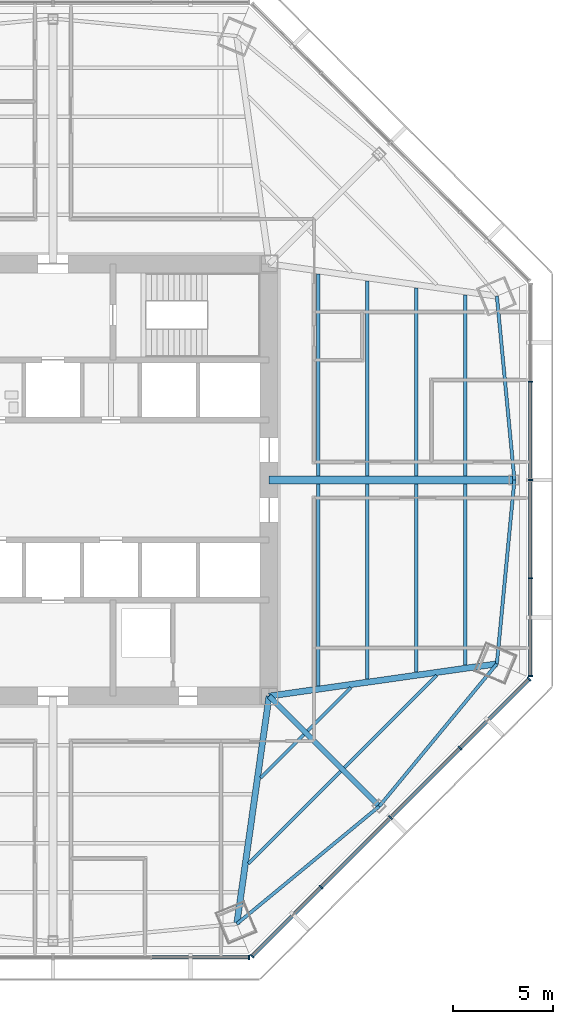
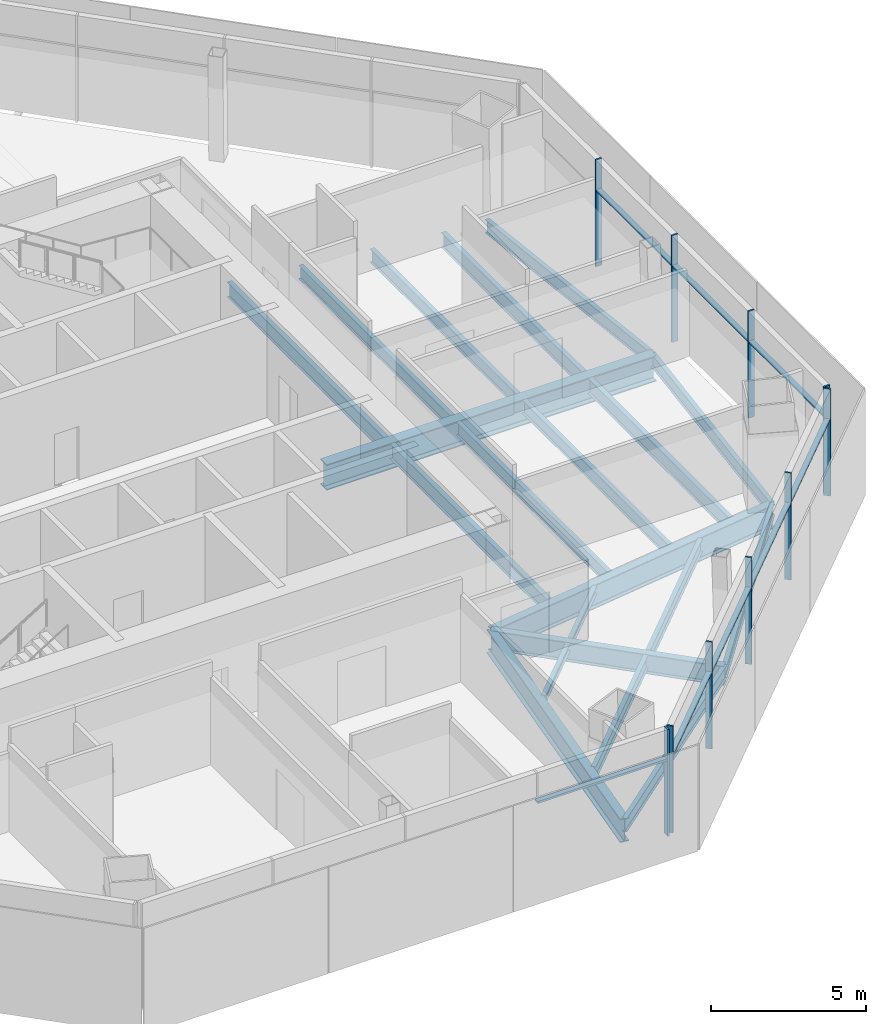
# One storey, part 4 of 14: 20 beams, 18 members, 3 elements without a shape of their own.
"""IFC4 building model written with IfcOpenShell, lengths in metres."""

from ifc_helpers import new_model, si_unit, direction, frame, origin, origin_2d, place, context, subcontext, project, spatial, rectangle, i_section, extrude, source, transform, mapped, material, material_profile, profile_set, type_object, type_shapes, element, aggregate, save


model = new_model("IFC4")

# Units and contexts
model_context = context("Model", 3, precision=1e-05, world=origin(), true_north=direction((0.0, 1.0)))
body_context = subcontext(model_context, "Body", "Model", "MODEL_VIEW")
ifc_project = project(units=[si_unit("LENGTHUNIT", "METRE"), si_unit("AREAUNIT", "SQUARE_METRE"), si_unit("VOLUMEUNIT", "CUBIC_METRE"), si_unit("PLANEANGLEUNIT", "RADIAN"), si_unit("MASSUNIT", "GRAM", prefix="KILO")], contexts=[model_context])

# Site, building, storey
site_placement = place(None, origin())
site = spatial("IfcSite", under=ifc_project, at=site_placement, CompositionType="ELEMENT")
building_placement = place(site_placement, origin())
building = spatial("IfcBuilding", under=site, at=building_placement, Name="Mashrafa Tower", CompositionType="ELEMENT")
storey_placement = place(building_placement, frame((0.0, 0.0, 147.0)))
storey = spatial("IfcBuildingStorey", under=building, at=storey_placement, Name="L33", CompositionType="ELEMENT", Elevation=147.0)

# Beams
ifc_material_1 = material(Name="Steel ASTM A992", Category="steel")
ifc_material_profile_1 = material_profile(ifc_material_1, i_section(OverallWidth=0.164794921875, OverallDepth=0.309814453125, WebThickness=0.005859375, FlangeThickness=0.009765625, FilletRadius=0.007568359375, at=origin_2d()), Name="W12X26")
ifc_profile_set_1 = profile_set([ifc_material_profile_1], Name="Steel ASTM A992")
beam_type_1 = type_object("IfcBeamType", Name="Beam W12X26", PredefinedType="BEAM", material=ifc_profile_set_1)
for number, where, z_axis, x_axis, name in (
    (1, (12.541259765625, -12.729736328125, -0.31982421875), (-0.707106781187, -0.707106781187, 0.0), (0.707106781187, -0.707106781187, 0.0), "Floor beam L33 035"),
    (2, (14.895751953125, -10.375244140625, -0.31982421875), (-0.707106781187, -0.707106781187, 0.0), (0.707106781187, -0.707106781187, 0.0), "Floor beam L33 041"),
):
    element("IfcBeam", number, at=place(storey_placement, frame(where, z_axis=z_axis, x_axis=x_axis)), inside=storey, type_object=beam_type_1, Name=name, PredefinedType="BEAM", context=body_context, shape_type="SweptSolid", body=[
        extrude(i_section(OverallWidth=0.164794921875, OverallDepth=0.309814453125, WebThickness=0.005859375, FlangeThickness=0.009765625, FilletRadius=0.007568359375, at=origin_2d()), origin(), (0.0, 0.0, 1.0), 3.063232421875),
    ])
ifc_material_2 = material(Name="Steel ASTM A992", Category="steel")
ifc_material_profile_2 = material_profile(ifc_material_2, i_section(OverallWidth=0.1650390625, OverallDepth=0.52587890625, WebThickness=0.0087890625, FlangeThickness=0.011474609375, FilletRadius=0.0126953125, at=origin_2d()), Name="W21X44")
ifc_profile_set_2 = profile_set([ifc_material_profile_2], Name="Steel ASTM A992")
beam_type_2 = type_object("IfcBeamType", Name="Beam W21X44", PredefinedType="BEAM", material=ifc_profile_set_2)
beam_1_placement = place(storey_placement, frame((14.376708984375, -14.5654296875, -0.427978515625), z_axis=(-0.707106781187, -0.707106781187, 0.0), x_axis=(0.707106781187, -0.707106781187, 0.0)))
element("IfcBeam", 3, at=beam_1_placement, inside=storey, type_object=beam_type_2, Name="Floor beam L33 039", PredefinedType="BEAM", context=body_context, shape_type="SweptSolid", body=[
    extrude(i_section(OverallWidth=0.1650390625, OverallDepth=0.52587890625, WebThickness=0.0087890625, FlangeThickness=0.011474609375, FilletRadius=0.0126953125, at=origin_2d()), origin(), (0.0, 0.0, 1.0), 6.51513671875),
])
for number, where, z_axis, x_axis, name in (
    (4, (15.704345703125, -0.20068359375, -0.427978515625), (0.0, -1.0, 0.0), (1.0, 0.0, 0.0), "Floor beam L33 042"),
    (5, (15.704345703125, 9.950439453125, -0.427978515625), (0.0, -1.0, 0.0), (1.0, 0.0, 0.0), "Floor beam L33 043"),
):
    element("IfcBeam", number, at=place(storey_placement, frame(where, z_axis=z_axis, x_axis=x_axis)), inside=storey, type_object=beam_type_2, Name=name, PredefinedType="BEAM", context=body_context, shape_type="SweptSolid", body=[
        extrude(i_section(OverallWidth=0.1650390625, OverallDepth=0.52587890625, WebThickness=0.0087890625, FlangeThickness=0.011474609375, FilletRadius=0.0126953125, at=origin_2d()), origin(), (0.0, 0.0, 1.0), 9.749755859375),
    ])
for number, where, z_axis, x_axis, name in (
    (6, (18.156494140625, -0.20068359375, -0.427978515625), (0.0, -1.0, 0.0), (1.0, 0.0, 0.0), "Floor beam L33 044"),
    (7, (18.156494140625, 9.603271484375, -0.427978515625), (0.0, -1.0, 0.0), (1.0, 0.0, 0.0), "Floor beam L33 045"),
):
    element("IfcBeam", number, at=place(storey_placement, frame(where, z_axis=z_axis, x_axis=x_axis)), inside=storey, type_object=beam_type_2, Name=name, PredefinedType="BEAM", context=body_context, shape_type="SweptSolid", body=[
        extrude(i_section(OverallWidth=0.1650390625, OverallDepth=0.52587890625, WebThickness=0.0087890625, FlangeThickness=0.011474609375, FilletRadius=0.0126953125, at=origin_2d()), origin(), (0.0, 0.0, 1.0), 9.402587890625),
    ])
beam_2_placement = place(storey_placement, frame((19.17236328125, -9.769775390625, -0.427978515625), z_axis=(-0.707106781187, -0.707106781187, 0.0), x_axis=(0.707106781187, -0.707106781187, 0.0)))
element("IfcBeam", 8, at=beam_2_placement, inside=storey, type_object=beam_type_2, Name="Floor beam L33 046", PredefinedType="BEAM", context=body_context, shape_type="SweptSolid", body=[
    extrude(i_section(OverallWidth=0.1650390625, OverallDepth=0.52587890625, WebThickness=0.0087890625, FlangeThickness=0.011474609375, FilletRadius=0.0126953125, at=origin_2d()), origin(), (0.0, 0.0, 1.0), 6.51513671875),
])
for number, where, z_axis, x_axis, name in (
    (9, (9.1884765625, -22.182861328125, -0.427978515625), (0.771174586036, 0.636623717633, 0.0), (-0.636623717633, 0.771174586036, 0.0), "Spandrel beam L33 074"),
    (10, (16.306640625, -16.306640625, -0.427978515625), (0.636623717633, 0.771174586036, 0.0), (-0.771174586036, 0.636623717633, 0.0), "Spandrel beam L33 076"),
    (11, (22.182861328125, -9.1884765625, -0.427978515625), (0.095139858237, 0.995463915657, 0.0), (-0.995463915657, 0.095139858237, 0.0), "Spandrel beam L33 078"),
    (12, (23.06103515625, 0.0, -0.427978515625), (-0.095139858237, 0.995463915657, 0.0), (-0.995463915657, -0.095139858237, 0.0), "Spandrel beam L33 080"),
):
    element("IfcBeam", number, at=place(storey_placement, frame(where, z_axis=z_axis, x_axis=x_axis)), inside=storey, type_object=beam_type_2, Name=name, PredefinedType="BEAM", context=body_context, shape_type="SweptSolid", body=[
        extrude(i_section(OverallWidth=0.1650390625, OverallDepth=0.52587890625, WebThickness=0.0087890625, FlangeThickness=0.011474609375, FilletRadius=0.0126953125, at=origin_2d()), origin(), (0.0, 0.0, 1.0), 9.230224609375),
    ])
ifc_material_3 = material(Name="Steel ASTM A992", Category="steel")
ifc_material_profile_3 = material_profile(ifc_material_3, i_section(OverallWidth=0.177978515625, OverallDepth=0.599365234375, WebThickness=0.010009765625, FlangeThickness=0.012939453125, FilletRadius=0.012939453125, at=origin_2d()), Name="W24X55")
ifc_profile_set_3 = profile_set([ifc_material_profile_3], Name="Steel ASTM A992")
beam_type_3 = type_object("IfcBeamType", Name="Beam W24X55", PredefinedType="BEAM", material=ifc_profile_set_3)
for number, where, z_axis, x_axis, name in (
    (13, (13.252197265625, -0.20068359375, -0.464599609375), (0.0, -1.0, 0.0), (1.0, 0.0, 0.0), "Floor beam L33 037"),
    (14, (13.252197265625, 10.297607421875, -0.464599609375), (0.0, -1.0, 0.0), (1.0, 0.0, 0.0), "Floor beam L33 038"),
):
    element("IfcBeam", number, at=place(storey_placement, frame(where, z_axis=z_axis, x_axis=x_axis)), inside=storey, type_object=beam_type_3, Name=name, PredefinedType="BEAM", context=body_context, shape_type="SweptSolid", body=[
        extrude(i_section(OverallWidth=0.177978515625, OverallDepth=0.599365234375, WebThickness=0.010009765625, FlangeThickness=0.012939453125, FilletRadius=0.012939453125, at=origin_2d()), origin(), (0.0, 0.0, 1.0), 10.096923828125),
    ])
for number, where, z_axis, x_axis, name in (
    (15, (20.60888671875, -0.20068359375, -0.464599609375), (0.0, -1.0, 0.0), (1.0, 0.0, 0.0), "Floor beam L33 047"),
    (16, (20.60888671875, 9.256103515625, -0.464599609375), (0.0, -1.0, 0.0), (1.0, 0.0, 0.0), "Floor beam L33 048"),
):
    element("IfcBeam", number, at=place(storey_placement, frame(where, z_axis=z_axis, x_axis=x_axis)), inside=storey, type_object=beam_type_3, Name=name, PredefinedType="BEAM", context=body_context, shape_type="SweptSolid", body=[
        extrude(i_section(OverallWidth=0.177978515625, OverallDepth=0.599365234375, WebThickness=0.010009765625, FlangeThickness=0.012939453125, FilletRadius=0.012939453125, at=origin_2d()), origin(), (0.0, 0.0, 1.0), 9.055419921875),
    ])
ifc_material_4 = material(Name="Steel ASTM A992", Category="steel")
ifc_material_profile_4 = material_profile(ifc_material_4, i_section(OverallWidth=0.2666015625, OverallDepth=0.761962890625, WebThickness=0.014404296875, FlangeThickness=0.021484375, FilletRadius=0.0166015625, at=origin_2d()), Name="W30X116")
ifc_profile_set_4 = profile_set([ifc_material_profile_4], Name="Steel ASTM A992")
beam_type_4 = type_object("IfcBeamType", Name="Beam W30X116", PredefinedType="BEAM", material=ifc_profile_set_4)
beam_3_placement = place(storey_placement, frame((10.800048828125, -10.800048828125, -0.5458984375), z_axis=(0.707106781187, -0.707106781187, 0.0), x_axis=(0.707106781187, 0.707106781187, 0.0)))
element("IfcBeam", 17, at=beam_3_placement, inside=storey, type_object=beam_type_4, Name="Radial girder L33 059", PredefinedType="BEAM", context=body_context, shape_type="SweptSolid", body=[
    extrude(i_section(OverallWidth=0.2666015625, OverallDepth=0.761962890625, WebThickness=0.014404296875, FlangeThickness=0.021484375, FilletRadius=0.0166015625, at=origin_2d()), origin(), (0.0, 0.0, 1.0), 7.78759765625),
])
ifc_material_5 = material(Name="Steel ASTM A992", Category="steel")
ifc_material_profile_5 = material_profile(ifc_material_5, i_section(OverallWidth=0.307373046875, OverallDepth=0.927001953125, WebThickness=0.01953125, FlangeThickness=0.031982421875, FilletRadius=0.01904296875, at=origin_2d()), Name="W36X194")
ifc_profile_set_5 = profile_set([ifc_material_profile_5], Name="Steel ASTM A992")
beam_type_5 = type_object("IfcBeamType", Name="Beam W36X194", PredefinedType="BEAM", material=ifc_profile_set_5)
for number, where, z_axis, x_axis, name in (
    (18, (10.800048828125, -10.800048828125, -0.628662109375), (-0.140181464407, -0.990125828891, 0.0), (0.990125828891, -0.140181464407, 0.0), "Radial girder L33 058"),
    (19, (10.800048828125, -10.800048828125, -0.628662109375), (0.990125828891, 0.140181464407, 0.0), (-0.140181464407, 0.990125828891, 0.0), "Radial girder L33 060"),
):
    element("IfcBeam", number, at=place(storey_placement, frame(where, z_axis=z_axis, x_axis=x_axis)), inside=storey, type_object=beam_type_5, Name=name, PredefinedType="BEAM", context=body_context, shape_type="SweptSolid", body=[
        extrude(i_section(OverallWidth=0.307373046875, OverallDepth=0.927001953125, WebThickness=0.01953125, FlangeThickness=0.031982421875, FilletRadius=0.01904296875, at=origin_2d()), origin(), (0.0, 0.0, 1.0), 11.496337890625),
    ])
ifc_material_6 = material(Name="Steel ASTM A992", Category="steel")
ifc_material_profile_6 = material_profile(ifc_material_6, i_section(OverallWidth=0.4013671875, OverallDepth=1.010986328125, WebThickness=0.023681640625, FlangeThickness=0.0419921875, FilletRadius=0.02001953125, at=origin_2d()), Name="W40X297")
ifc_profile_set_6 = profile_set([ifc_material_profile_6], Name="Steel ASTM A992")
beam_type_6 = type_object("IfcBeamType", Name="Beam W40X297", PredefinedType="BEAM", material=ifc_profile_set_6)
beam_4_placement = place(storey_placement, frame((10.800048828125, 0.0, -0.67041015625), z_axis=(1.0, 0.0, 0.0), x_axis=(0.0, 1.0, 0.0)))
element("IfcBeam", 20, at=beam_4_placement, inside=storey, type_object=beam_type_6, Name="Radial girder L33 061", PredefinedType="BEAM", context=body_context, shape_type="SweptSolid", body=[
    extrude(i_section(OverallWidth=0.4013671875, OverallDepth=1.010986328125, WebThickness=0.023681640625, FlangeThickness=0.0419921875, FilletRadius=0.02001953125, at=origin_2d()), origin(), (0.0, 0.0, 1.0), 12.260986328125),
])

# Curtain wall, members
ifc_material_7 = material(Name="Unitised aluminium curtain wall", Category="aluminium")
curtain_wall_type = type_object("IfcCurtainWallType", Name="Office curtain wall, zone 2 CW-B 225 deep", PredefinedType="NOTDEFINED", material=ifc_material_7)
curtain_wall_1_placement = place(storey_placement, origin())
curtain_wall_1 = element("IfcCurtainWall", 21, at=curtain_wall_1_placement, inside=storey, type_object=curtain_wall_type, Name="Office curtain wall, zone 2 L33 east", PredefinedType="NOTDEFINED")
ifc_material_8 = material(Name="Extruded aluminium mullion", Category="aluminium")
ifc_material_profile_7 = material_profile(ifc_material_8, rectangle(XDim=0.22509765625, YDim=0.06494140625, at=origin_2d()), Name="Mullion 65x225")
ifc_profile_set_7 = profile_set([ifc_material_profile_7], Name="Extruded aluminium mullion")
member_type_1 = type_object("IfcMemberType", Name="Mullion CW-B 65 x 225", PredefinedType="MULLION", material=ifc_profile_set_7)
shared_shape_1 = source(origin(), body_context, "Body", "SweptSolid", [
    extrude(rectangle(XDim=0.22509765625, YDim=0.06494140625, at=origin_2d()), origin(), (0.0, 0.0, 1.0), 4.199951171875),
])
type_shapes(member_type_1, [shared_shape_1])
member_1_placement = place(storey_placement, frame((23.856201171875, -9.79248046875, 0.0), z_axis=(0.0, 0.0, 1.0), x_axis=(-1.0, 0.0, 0.0)))
member_1 = element("IfcMember", 22, at=member_1_placement, type_object=member_type_1, Name="CW-B mullion 1", PredefinedType="MULLION", context=body_context, shape_type="MappedRepresentation", body=[
    mapped(shared_shape_1, transform((0.0, 0.0, 0.0))),
])
member_2_placement = place(storey_placement, frame((23.856201171875, -4.91259765625, 0.0), z_axis=(0.0, 0.0, 1.0), x_axis=(-1.0, 0.0, 0.0)))
member_2 = element("IfcMember", 23, at=member_2_placement, type_object=member_type_1, Name="CW-B mullion 2", PredefinedType="MULLION", context=body_context, shape_type="MappedRepresentation", body=[
    mapped(shared_shape_1, transform((0.0, 0.0, 0.0))),
])
member_3_placement = place(storey_placement, frame((23.856201171875, 0.0, 0.0), z_axis=(0.0, 0.0, 1.0), x_axis=(-1.0, 0.0, 0.0)))
member_3 = element("IfcMember", 24, at=member_3_placement, type_object=member_type_1, Name="CW-B mullion 3", PredefinedType="MULLION", context=body_context, shape_type="MappedRepresentation", body=[
    mapped(shared_shape_1, transform((0.0, 0.0, 0.0))),
])
member_4_placement = place(storey_placement, frame((23.856201171875, 4.91259765625, 0.0), z_axis=(0.0, 0.0, 1.0), x_axis=(-1.0, 0.0, 0.0)))
member_4 = element("IfcMember", 25, at=member_4_placement, type_object=member_type_1, Name="CW-B mullion 4", PredefinedType="MULLION", context=body_context, shape_type="MappedRepresentation", body=[
    mapped(shared_shape_1, transform((0.0, 0.0, 0.0))),
])

# Curtain wall, member
curtain_wall_2_placement = place(storey_placement, origin())
curtain_wall_2 = element("IfcCurtainWall", 26, at=curtain_wall_2_placement, inside=storey, type_object=curtain_wall_type, Name="Office curtain wall, zone 2 L33 south", PredefinedType="NOTDEFINED")
member_5_placement = place(storey_placement, frame((9.79248046875, -23.856201171875, 0.0), z_axis=(0.0, 0.0, 1.0), x_axis=(0.0, 1.0, 0.0)))
member_5 = element("IfcMember", 27, at=member_5_placement, type_object=member_type_1, Name="CW-B mullion 5", PredefinedType="MULLION", context=body_context, shape_type="MappedRepresentation", body=[
    mapped(shared_shape_1, transform((0.0, 0.0, 0.0))),
])

# Curtain wall, members
curtain_wall_3_placement = place(storey_placement, origin())
curtain_wall_3 = element("IfcCurtainWall", 28, at=curtain_wall_3_placement, inside=storey, type_object=curtain_wall_type, Name="Office curtain wall, zone 2 L33 south-east", PredefinedType="NOTDEFINED")
member_6_placement = place(storey_placement, frame((9.944580078125, -23.793212890625, 0.0), z_axis=(0.0, 0.0, 1.0), x_axis=(-0.707106781187, 0.707106781187, 0.0)))
member_6 = element("IfcMember", 29, at=member_6_placement, type_object=member_type_1, Name="CW-B mullion 1", PredefinedType="MULLION", context=body_context, shape_type="MappedRepresentation", body=[
    mapped(shared_shape_1, transform((0.0, 0.0, 0.0))),
])
member_7_placement = place(storey_placement, frame((13.395263671875, -20.342529296875, 0.0), z_axis=(0.0, 0.0, 1.0), x_axis=(-0.707106781187, 0.707106781187, 0.0)))
member_7 = element("IfcMember", 30, at=member_7_placement, type_object=member_type_1, Name="CW-B mullion 2", PredefinedType="MULLION", context=body_context, shape_type="MappedRepresentation", body=[
    mapped(shared_shape_1, transform((0.0, 0.0, 0.0))),
])
member_8_placement = place(storey_placement, frame((16.868896484375, -16.868896484375, 0.0), z_axis=(0.0, 0.0, 1.0), x_axis=(-0.707106781187, 0.707106781187, 0.0)))
member_8 = element("IfcMember", 31, at=member_8_placement, type_object=member_type_1, Name="CW-B mullion 3", PredefinedType="MULLION", context=body_context, shape_type="MappedRepresentation", body=[
    mapped(shared_shape_1, transform((0.0, 0.0, 0.0))),
])
member_9_placement = place(storey_placement, frame((20.342529296875, -13.395263671875, 0.0), z_axis=(0.0, 0.0, 1.0), x_axis=(-0.707106781187, 0.707106781187, 0.0)))
member_9 = element("IfcMember", 32, at=member_9_placement, type_object=member_type_1, Name="CW-B mullion 4", PredefinedType="MULLION", context=body_context, shape_type="MappedRepresentation", body=[
    mapped(shared_shape_1, transform((0.0, 0.0, 0.0))),
])
member_10_placement = place(storey_placement, frame((23.793212890625, -9.944580078125, 0.0), z_axis=(0.0, 0.0, 1.0), x_axis=(-0.707106781187, 0.707106781187, 0.0)))
member_10 = element("IfcMember", 33, at=member_10_placement, type_object=member_type_1, Name="CW-B mullion 5", PredefinedType="MULLION", context=body_context, shape_type="MappedRepresentation", body=[
    mapped(shared_shape_1, transform((0.0, 0.0, 0.0))),
])

# Member
ifc_material_9 = material(Name="Extruded aluminium transom", Category="aluminium")
ifc_material_profile_8 = material_profile(ifc_material_9, rectangle(XDim=0.179931640625, YDim=0.080078125, at=origin_2d()), Name="Transom 80x180")
ifc_profile_set_8 = profile_set([ifc_material_profile_8], Name="Extruded aluminium transom")
member_type_2 = type_object("IfcMemberType", Name="Transom CW-B 80 x 180", PredefinedType="MULLION", material=ifc_profile_set_8)
shared_shape_2 = source(origin(), body_context, "Body", "SweptSolid", [
    extrude(rectangle(XDim=0.179931640625, YDim=0.080078125, at=origin_2d()), origin(), (0.0, 0.0, 1.0), 4.81494140625),
])
member_11_placement = place(storey_placement, frame((23.856201171875, -9.760009765625, 3.0), z_axis=(0.0, 1.0, 0.0), x_axis=(-1.0, 0.0, 0.0)))
member_11 = element("IfcMember", 34, at=member_11_placement, type_object=member_type_2, Name="CW-B transom 1", PredefinedType="MULLION", context=body_context, shape_type="MappedRepresentation", body=[
    mapped(shared_shape_2, transform((0.0, 0.0, 0.0))),
])

member_12_placement = place(storey_placement, frame((4.945068359375, -23.856201171875, 3.0), z_axis=(1.0, 0.0, 0.0), x_axis=(0.0, 1.0, 0.0)))
member_12 = element("IfcMember", 35, at=member_12_placement, type_object=member_type_2, Name="CW-B transom 4", PredefinedType="MULLION", context=body_context, shape_type="MappedRepresentation", body=[
    mapped(shared_shape_2, transform((0.0, 0.0, 0.0))),
])

aggregate(curtain_wall_2, [member_5, member_12])

shared_shape_3 = source(origin(), body_context, "Body", "SweptSolid", [
    extrude(rectangle(XDim=0.179931640625, YDim=0.080078125, at=origin_2d()), origin(), (0.0, 0.0, 1.0), 4.847412109375),
])
member_13_placement = place(storey_placement, frame((23.856201171875, -4.8798828125, 3.0), z_axis=(0.0, 1.0, 0.0), x_axis=(-1.0, 0.0, 0.0)))
member_13 = element("IfcMember", 36, at=member_13_placement, type_object=member_type_2, Name="CW-B transom 2", PredefinedType="MULLION", context=body_context, shape_type="MappedRepresentation", body=[
    mapped(shared_shape_3, transform((0.0, 0.0, 0.0))),
])

member_14_placement = place(storey_placement, frame((23.856201171875, 0.032470703125, 3.0), z_axis=(0.0, 1.0, 0.0), x_axis=(-1.0, 0.0, 0.0)))
member_14 = element("IfcMember", 37, at=member_14_placement, type_object=member_type_2, Name="CW-B transom 3", PredefinedType="MULLION", context=body_context, shape_type="MappedRepresentation", body=[
    mapped(shared_shape_3, transform((0.0, 0.0, 0.0))),
])

aggregate(curtain_wall_1, [member_1, member_2, member_3, member_4, member_11, member_13, member_14])

shared_shape_4 = source(origin(), body_context, "Body", "SweptSolid", [
    extrude(rectangle(XDim=0.179931640625, YDim=0.080078125, at=origin_2d()), origin(), (0.0, 0.0, 1.0), 4.815185546875),
])
member_15_placement = place(storey_placement, frame((9.967529296875, -23.770263671875, 3.0), z_axis=(0.707106781187, 0.707106781187, 0.0), x_axis=(-0.707106781187, 0.707106781187, 0.0)))
member_15 = element("IfcMember", 38, at=member_15_placement, type_object=member_type_2, Name="CW-B transom 1", PredefinedType="MULLION", context=body_context, shape_type="MappedRepresentation", body=[
    mapped(shared_shape_4, transform((0.0, 0.0, 0.0))),
])

member_16_placement = place(storey_placement, frame((20.365478515625, -13.372314453125, 3.0), z_axis=(0.707106781187, 0.707106781187, 0.0), x_axis=(-0.707106781187, 0.707106781187, 0.0)))
member_16 = element("IfcMember", 39, at=member_16_placement, type_object=member_type_2, Name="CW-B transom 4", PredefinedType="MULLION", context=body_context, shape_type="MappedRepresentation", body=[
    mapped(shared_shape_4, transform((0.0, 0.0, 0.0))),
])

shared_shape_5 = source(origin(), body_context, "Body", "SweptSolid", [
    extrude(rectangle(XDim=0.179931640625, YDim=0.080078125, at=origin_2d()), origin(), (0.0, 0.0, 1.0), 4.84765625),
])
type_shapes(member_type_2, [shared_shape_2, shared_shape_3, shared_shape_4, shared_shape_5])
member_17_placement = place(storey_placement, frame((13.418212890625, -20.319580078125, 3.0), z_axis=(0.707106781187, 0.707106781187, 0.0), x_axis=(-0.707106781187, 0.707106781187, 0.0)))
member_17 = element("IfcMember", 40, at=member_17_placement, type_object=member_type_2, Name="CW-B transom 2", PredefinedType="MULLION", context=body_context, shape_type="MappedRepresentation", body=[
    mapped(shared_shape_5, transform((0.0, 0.0, 0.0))),
])

member_18_placement = place(storey_placement, frame((16.891845703125, -16.845947265625, 3.0), z_axis=(0.707106781187, 0.707106781187, 0.0), x_axis=(-0.707106781187, 0.707106781187, 0.0)))
member_18 = element("IfcMember", 41, at=member_18_placement, type_object=member_type_2, Name="CW-B transom 3", PredefinedType="MULLION", context=body_context, shape_type="MappedRepresentation", body=[
    mapped(shared_shape_5, transform((0.0, 0.0, 0.0))),
])

aggregate(curtain_wall_3, [member_6, member_7, member_8, member_9, member_10, member_15, member_17, member_18, member_16])

save(model, "model.ifc")
